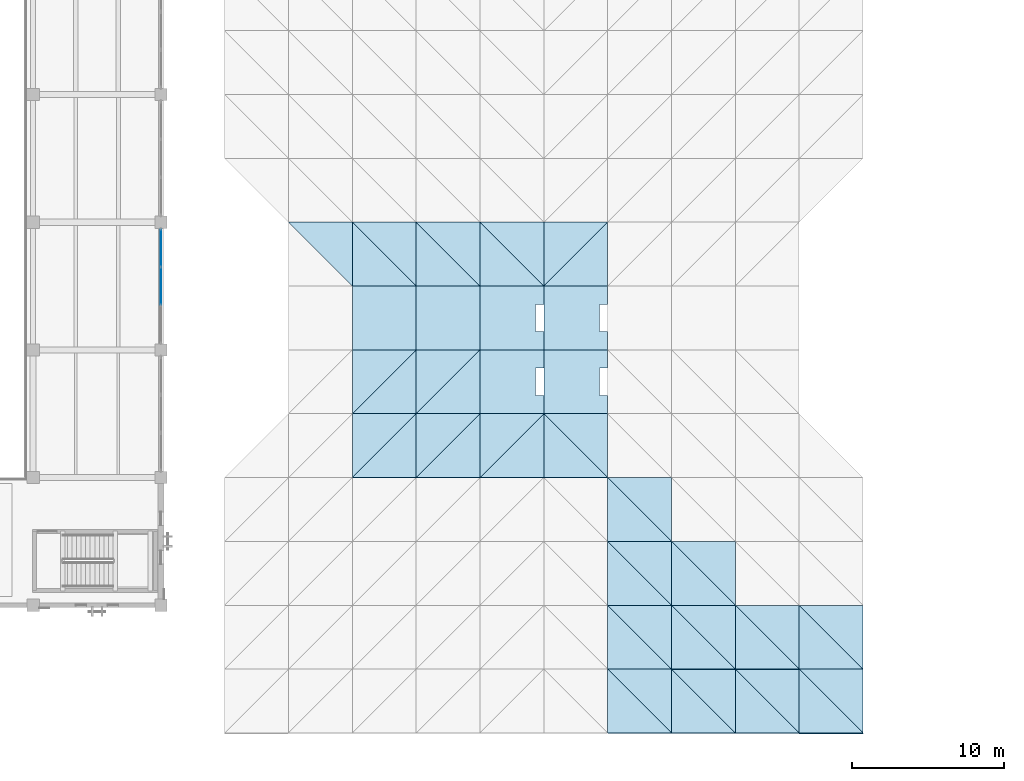
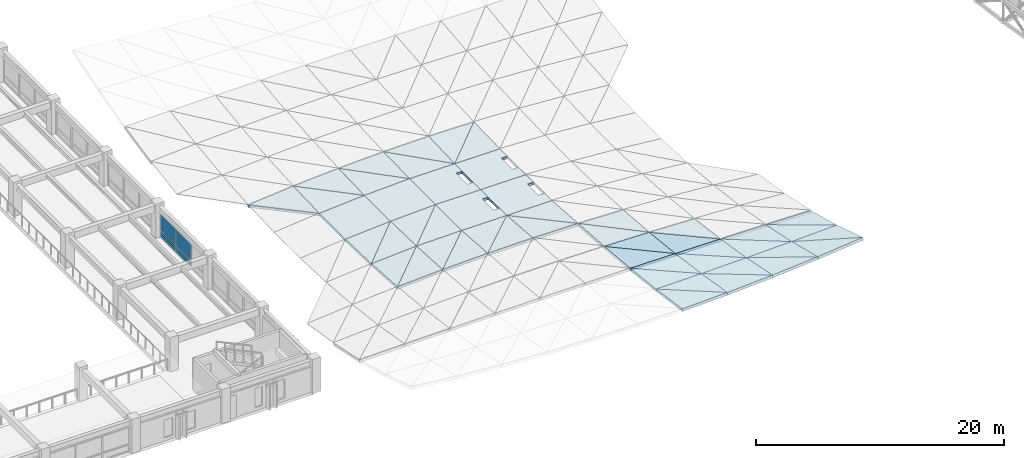
# One storey, part 63 of 123: 49 slabs, 4 plates, 1 element without a shape of its own.
"""IFC4 building model written with IfcOpenShell, lengths in metres."""

from ifc_helpers import new_model, si_unit, direction, frame, origin, origin_2d, place, context, subcontext, project, spatial, polyline, rectangle, outline, extrude, material, layer, layer_set, type_object, element, aggregate, save


model = new_model("IFC4")

# Units and contexts
model_context = context("Model", 3, precision=1e-05, world=origin(), true_north=direction((0.0, 1.0)))
body_context = subcontext(model_context, "Body", "Model", "MODEL_VIEW")
ifc_project = project(units=[si_unit("LENGTHUNIT", "METRE"), si_unit("AREAUNIT", "SQUARE_METRE"), si_unit("VOLUMEUNIT", "CUBIC_METRE"), si_unit("PLANEANGLEUNIT", "RADIAN"), si_unit("MASSUNIT", "GRAM", prefix="KILO")], contexts=[model_context])

# Site, building, storey
site_placement = place(None, origin())
site = spatial("IfcSite", under=ifc_project, at=site_placement, CompositionType="ELEMENT")
building_placement = place(site_placement, origin())
building = spatial("IfcBuilding", under=site, at=building_placement, Name="Cumbredor Promenade Congress Hotel", CompositionType="ELEMENT")
storey_placement = place(building_placement, frame((0.0, 0.0, 11.760009765625)))
storey = spatial("IfcBuildingStorey", under=building, at=storey_placement, Name="L03", CompositionType="ELEMENT", Elevation=11.760009765625)

# Curtain wall, plates
ifc_material_1 = material(Name="Thermally broken anodized aluminium and low-E glass", Category="aluminium")
curtain_wall_type = type_object("IfcCurtainWallType", Name="Unitised Bronze Curtain Wall CW-01", PredefinedType="NOTDEFINED", material=ifc_material_1)
curtain_wall_placement = place(storey_placement, origin())
curtain_wall = element("IfcCurtainWall", 1, at=curtain_wall_placement, inside=storey, type_object=curtain_wall_type, Name="L03 Plenary Congress Hall East Curtain Wall 3", PredefinedType="NOTDEFINED")
ifc_material_2 = material(Name="Laminated low-E solar-control glass", Category="glass")
ifc_layer_1 = layer(ifc_material_2, 0.028076171875, Name="Laminated low-E solar-control glass", Category="glass")
ifc_layer_set_1 = layer_set([ifc_layer_1], Name="Laminated low-E solar-control glass")
plate_type_1 = type_object("IfcPlateType", Name="Glazed Vision Panel PNL-01", PredefinedType="CURTAIN_PANEL", material=ifc_layer_set_1)
plate_1_placement = place(storey_placement, frame((67.199951171875, 29.39990234375, 0.784912109375), z_axis=(0.0, 0.0, 1.0), x_axis=(0.0, 1.0, 0.0)))
plate_1 = element("IfcPlate", 2, at=plate_1_placement, type_object=plate_type_1, Name="L03 Plenary Congress Hall East Curtain Wall 3 Glazing Panel 2.2", PredefinedType="CURTAIN_PANEL", context=body_context, shape_type="SweptSolid", body=[
    extrude(rectangle(XDim=2.431640625, YDim=0.028076171875, at=origin_2d()), origin(), (0.0, 0.0, 1.0), 1.580078125),
])
plate_2_placement = place(storey_placement, frame((67.199951171875, 31.896728515625, 0.784912109375), z_axis=(0.0, 0.0, 1.0), x_axis=(0.0, 1.0, 0.0)))
plate_2 = element("IfcPlate", 3, at=plate_2_placement, type_object=plate_type_1, Name="L03 Plenary Congress Hall East Curtain Wall 3 Glazing Panel 3.2", PredefinedType="CURTAIN_PANEL", context=body_context, shape_type="SweptSolid", body=[
    extrude(rectangle(XDim=2.431640625, YDim=0.028076171875, at=origin_2d()), origin(), (0.0, 0.0, 1.0), 1.580078125),
])
ifc_material_3 = material(Name="Thermally broken anodized aluminium", Category="aluminium")
ifc_layer_2 = layer(ifc_material_3, 0.0400390625, Name="Thermally broken anodized aluminium", Category="aluminium")
ifc_layer_set_2 = layer_set([ifc_layer_2], Name="Thermally broken anodized aluminium")
plate_type_2 = type_object("IfcPlateType", Name="Insulated Spandrel Panel PNL-05", PredefinedType="CURTAIN_PANEL", material=ifc_layer_set_2)
plate_3_placement = place(storey_placement, frame((67.199951171875, 29.39990234375, 0.125), z_axis=(0.0, 0.0, 1.0), x_axis=(0.0, 1.0, 0.0)))
plate_3 = element("IfcPlate", 4, at=plate_3_placement, type_object=plate_type_2, Name="L03 Plenary Congress Hall East Curtain Wall 3 Spandrel Panel 2.1", PredefinedType="CURTAIN_PANEL", context=body_context, shape_type="SweptSolid", body=[
    extrude(rectangle(XDim=2.431640625, YDim=0.0400390625, at=origin_2d()), origin(), (0.0, 0.0, 1.0), 0.530029296875),
])
plate_4_placement = place(storey_placement, frame((67.199951171875, 31.896728515625, 0.125), z_axis=(0.0, 0.0, 1.0), x_axis=(0.0, 1.0, 0.0)))
plate_4 = element("IfcPlate", 5, at=plate_4_placement, type_object=plate_type_2, Name="L03 Plenary Congress Hall East Curtain Wall 3 Spandrel Panel 3.1", PredefinedType="CURTAIN_PANEL", context=body_context, shape_type="SweptSolid", body=[
    extrude(rectangle(XDim=2.431640625, YDim=0.0400390625, at=origin_2d()), origin(), (0.0, 0.0, 1.0), 0.530029296875),
])
aggregate(curtain_wall, [plate_3, plate_1, plate_4, plate_2])

# Slabs
ifc_material_4 = material(Name="Concrete C40/50", Category="concrete")
ifc_layer_3 = layer(ifc_material_4, 0.2451171875, Name="Concrete C40/50", Category="concrete")
ifc_layer_set_3 = layer_set([ifc_layer_3], Name="Concrete C40/50")
slab_type = type_object("IfcSlabType", Name="Spa Catenary Roof Deck 245mm", PredefinedType="ROOF", material=ifc_layer_set_3)
slab_1_placement = place(storey_placement, frame((79.800048828125, 29.39990234375, 0.217529296875), z_axis=(-0.090031397449, -0.033383738298, 0.995379261131), x_axis=(0.0, 0.999438051436, 0.033519864896)))
element("IfcSlab", 6, at=slab_1_placement, inside=storey, type_object=slab_type, Name="Thermal Spa and Hydrotherapy Pavilion Sweeping Roof Deck Facet 2.8.2", PredefinedType="ROOF", context=body_context, shape_type="SweptSolid", body=[
    extrude(outline(polyline([(0.0, 0.0), (4.202556933335632, 3.469446951953614e-18), (4.189823312784154, 4.217077027073936), (0.0, 0.0)])), origin(), (0.0, 0.0, -1.0), 0.2451171875),
])
slab_2_placement = place(storey_placement, frame((79.800048828125, 16.800048828125, 0.6396484375), z_axis=(-0.052282348828, 0.054716781922, 0.997132202758), x_axis=(0.998628232976, 0.0, 0.052360789754)))
element("IfcSlab", 7, at=slab_2_placement, inside=storey, type_object=slab_type, Name="Thermal Spa and Hydrotherapy Pavilion Sweeping Roof Deck Facet 3.5.1", PredefinedType="ROOF", context=body_context, shape_type="SweptSolid", body=[
    extrude(outline(polyline([(0.0, 0.0), (4.2057204404884105, -1.734723475976807e-18), (4.193652914724711, 4.206252496662877), (0.0, 0.0)])), origin(), (0.0, 0.0, -1.0), 0.2451171875),
])
slab_3_placement = place(storey_placement, frame((79.800048828125, 16.800048828125, 0.6396484375), z_axis=(-0.064246438224, 0.066677384535, 0.995704033118), x_axis=(0.707105727493, 0.707105727493, -0.001726352413)))
element("IfcSlab", 8, at=slab_3_placement, inside=storey, type_object=slab_type, Name="Thermal Spa and Hydrotherapy Pavilion Sweeping Roof Deck Facet 3.5.2", PredefinedType="ROOF", context=body_context, shape_type="SweptSolid", body=[
    extrude(outline(polyline([(0.0, 0.0), (5.93963675950489, -1.0256552551712872e-16), (2.9702950654406046, 2.982622777498586), (0.0, 0.0)])), origin(), (0.0, 0.0, -1.0), 0.2451171875),
])
slab_4_placement = place(storey_placement, frame((79.800048828125, 21.0, 0.3583984375), z_axis=(-0.064365711992, 0.027311937251, 0.997552561624), x_axis=(0.997924828039, 0.0, 0.064389731973)))
element("IfcSlab", 9, at=slab_4_placement, inside=storey, type_object=slab_type, Name="Thermal Spa and Hydrotherapy Pavilion Sweeping Roof Deck Facet 3.6.1", PredefinedType="ROOF", context=body_context, shape_type="SweptSolid", body=[
    extrude(outline(polyline([(0.0, 0.0), (4.208684916807379, 0.0), (4.201280726436517, 4.2015185085990945), (0.0, 0.0)])), origin(), (0.0, 0.0, -1.0), 0.2451171875),
])
slab_5_placement = place(storey_placement, frame((79.800048828125, 21.0, 0.3583984375), z_axis=(-0.070469987369, 0.033438472625, 0.996953283474), x_axis=(0.706863003632, 0.706863003632, 0.026256202948)))
element("IfcSlab", 10, at=slab_5_placement, inside=storey, type_object=slab_type, Name="Thermal Spa and Hydrotherapy Pavilion Sweeping Roof Deck Facet 3.6.2", PredefinedType="ROOF", context=body_context, shape_type="SweptSolid", body=[
    extrude(outline(polyline([(0.0, 0.0), (5.941676322421789, 1.734723475976807e-17), (2.9650914117130407, 2.9778628042776223), (0.0, 0.0)])), origin(), (0.0, 0.0, -1.0), 0.2451171875),
])
slab_6_placement = place(storey_placement, frame((79.800048828125, 25.199951171875, 0.217529296875), z_axis=(-0.070509417793, 0.0, 0.997511113724), x_axis=(0.997511113724, 0.0, 0.070509417793)))
element("IfcSlab", 11, at=slab_6_placement, inside=storey, type_object=slab_type, Name="Thermal Spa and Hydrotherapy Pavilion Sweeping Roof Deck Facet 3.7", PredefinedType="ROOF", context=body_context, shape_type="SweptSolid", body=[
    extrude(outline(polyline([(0.0, 0.0), (4.2104304544499, 0.0), (4.2104304544499, 4.199951171875001), (0.0, 4.199951171875001), (0.0, 0.0)])), origin(), (0.0, 0.0, -1.0), 0.2451171875),
])
slab_7_placement = place(storey_placement, frame((79.800048828125, 29.39990234375, 0.217529296875), z_axis=(-0.070469991949, -0.033436531153, 0.996953348266), x_axis=(0.997511113724, 0.0, 0.070509417793)))
element("IfcSlab", 12, at=slab_7_placement, inside=storey, type_object=slab_type, Name="Thermal Spa and Hydrotherapy Pavilion Sweeping Roof Deck Facet 3.8.1", PredefinedType="ROOF", context=body_context, shape_type="SweptSolid", body=[
    extrude(outline(polyline([(0.0, 0.0), (4.2104304544499, 0.0), (0.009932601090429555, 4.20254519563597), (0.0, 0.0)])), origin(), (0.0, 0.0, -1.0), 0.2451171875),
])
slab_8_placement = place(storey_placement, frame((84.0, 29.39990234375, 0.514404296875), z_axis=(-0.064365714783, -0.027310350901, 0.997552604876), x_axis=(0.0, 0.999625450777, 0.027367099937)))
element("IfcSlab", 13, at=slab_8_placement, inside=storey, type_object=slab_type, Name="Thermal Spa and Hydrotherapy Pavilion Sweeping Roof Deck Facet 3.8.2", PredefinedType="ROOF", context=body_context, shape_type="SweptSolid", body=[
    extrude(outline(polyline([(0.0, 0.0), (4.201769081845002, -8.673617379884035e-19), (4.194352704664813, 4.208678382379849), (0.0, 0.0)])), origin(), (0.0, 0.0, -1.0), 0.2451171875),
])
slab_9_placement = place(storey_placement, frame((84.0, 16.800048828125, 0.85986328125), z_axis=(-0.031295126423, 0.071051527769, 0.99698159234), x_axis=(0.999507701685, 0.0, 0.031374420677)))
element("IfcSlab", 14, at=slab_9_placement, inside=storey, type_object=slab_type, Name="Thermal Spa and Hydrotherapy Pavilion Sweeping Roof Deck Facet 4.5.1", PredefinedType="ROOF", context=body_context, shape_type="SweptSolid", body=[
    extrude(outline(polyline([(0.0, 0.0), (4.202019819152533, 1.734723475976807e-18), (4.19262894030726, 4.210592828638161), (0.0, 0.0)])), origin(), (0.0, 0.0, -1.0), 0.2451171875),
])
slab_10_placement = place(storey_placement, frame((84.0, 16.800048828125, 0.85986328125), z_axis=(-0.014973176444, 0.054785575826, 0.998385869626), x_axis=(0.706825846099, 0.706825846099, -0.028185928642)))
element("IfcSlab", 15, at=slab_10_placement, inside=storey, type_object=slab_type, Name="Thermal Spa and Hydrotherapy Pavilion Sweeping Roof Deck Facet 4.5.2", PredefinedType="ROOF", context=body_context, shape_type="SweptSolid", body=[
    extrude(outline(polyline([(0.0, 0.0), (5.94198867380956, -3.885780586188048e-16), (2.9751300163758945, 2.973433550042765), (0.0, 0.0)])), origin(), (0.0, 0.0, -1.0), 0.2451171875),
])
slab_11_placement = place(storey_placement, frame((84.0, 21.0, 0.62939453125), z_axis=(-0.014995697844, 0.0, 0.999887558202), x_axis=(0.999887558202, 0.0, 0.014995697844)))
element("IfcSlab", 16, at=slab_11_placement, inside=storey, type_object=slab_type, Name="Thermal Spa and Hydrotherapy Pavilion Sweeping Roof Deck Facet 4.6.1", PredefinedType="ROOF", context=body_context, shape_type="SweptSolid", body=[
    extrude(outline(polyline([(0.0, 0.0), (4.200423475044988, 0.0), (4.200423475044988, 4.199951171875001), (0.0, 0.0)])), origin(), (0.0, 0.0, -1.0), 0.2451171875),
])
slab_12_placement = place(storey_placement, frame((84.0, 21.0, 0.62939453125), z_axis=(-0.042322500942, 0.027344167275, 0.99872974444), x_axis=(0.707067023655, 0.707067023655, 0.010604155793)))
element("IfcSlab", 17, at=slab_12_placement, inside=storey, type_object=slab_type, Name="Thermal Spa and Hydrotherapy Pavilion Sweeping Roof Deck Facet 4.6.2", PredefinedType="ROOF", context=body_context, shape_type="SweptSolid", body=[
    extrude(outline(polyline([(0.0, 0.0), (5.939961886733214, -5.681219383824043e-17), (2.9684276002329013, 2.973423982938078), (0.0, 0.0)])), origin(), (0.0, 0.0, -1.0), 0.2451171875),
])
slab_13_placement = place(storey_placement, frame((84.0, 25.199951171875, 0.514404296875), z_axis=(-0.042338332161, 0.0, 0.999103330807), x_axis=(0.999103330807, 0.0, 0.042338332161)))
element("IfcSlab", 18, at=slab_13_placement, inside=storey, type_object=slab_type, Name="Thermal Spa and Hydrotherapy Pavilion Sweeping Roof Deck Facet 4.7", PredefinedType="ROOF", context=body_context, shape_type="SweptSolid", body=[
    extrude(outline(polyline([(0.0, 0.0), (4.203720518559513, 0.0), (4.203720518559513, 4.199951171875), (0.0, 4.199951171875), (0.0, 0.0)])), origin(), (0.0, 0.0, -1.0), 0.2451171875),
])
slab_14_placement = place(storey_placement, frame((84.0, 29.39990234375, 0.514404296875), z_axis=(-0.042322502781, -0.027342579056, 0.998729787845), x_axis=(0.999103330807, 0.0, 0.042338332161)))
element("IfcSlab", 19, at=slab_14_placement, inside=storey, type_object=slab_type, Name="Thermal Spa and Hydrotherapy Pavilion Sweeping Roof Deck Facet 4.8.1", PredefinedType="ROOF", context=body_context, shape_type="SweptSolid", body=[
    extrude(outline(polyline([(0.0, 0.0), (4.203720518559513, 0.0), (0.004868494738191195, 4.201766261336721), (0.0, 0.0)])), origin(), (0.0, 0.0, -1.0), 0.2451171875),
])
slab_15_placement = place(storey_placement, frame((88.199951171875, 29.39990234375, 0.6923828125), z_axis=(-0.038732269521, -0.023748991651, 0.998967365179), x_axis=(0.0, 0.999717529103, 0.023766825704)))
element("IfcSlab", 20, at=slab_15_placement, inside=storey, type_object=slab_type, Name="Thermal Spa and Hydrotherapy Pavilion Sweeping Roof Deck Facet 4.8.2", PredefinedType="ROOF", context=body_context, shape_type="SweptSolid", body=[
    extrude(outline(polyline([(0.0, 0.0), (4.2013820806646045, -8.673617379884035e-19), (4.197511848061031, 4.203105080561661), (0.0, 0.0)])), origin(), (0.0, 0.0, -1.0), 0.2451171875),
])
slab_16_placement = place(storey_placement, frame((88.199951171875, 16.800048828125, 0.99169921875), z_axis=(-0.010485829333, 0.081511391556, 0.996617248712), x_axis=(0.999944654448, 0.0, 0.010520838369)))
element("IfcSlab", 21, at=slab_16_placement, inside=storey, type_object=slab_type, Name="Thermal Spa and Hydrotherapy Pavilion Sweeping Roof Deck Facet 5.5.1", PredefinedType="ROOF", context=body_context, shape_type="SweptSolid", body=[
    extrude(outline(polyline([(0.0, 0.0), (4.2001836333548175, 0.0), (4.196569663729663, 4.213973547707994), (0.0, 0.0)])), origin(), (0.0, 0.0, -1.0), 0.2451171875),
])
slab_17_placement = place(storey_placement, frame((88.199951171875, 16.800048828125, 0.99169921875), z_axis=(0.0, 0.071086346745, 0.997470165622), x_axis=(0.706210650444, 0.706210650444, -0.050329259864)))
element("IfcSlab", 22, at=slab_17_placement, inside=storey, type_object=slab_type, Name="Thermal Spa and Hydrotherapy Pavilion Sweeping Roof Deck Facet 5.5.2", PredefinedType="ROOF", context=body_context, shape_type="SweptSolid", body=[
    extrude(outline(polyline([(0.0, 0.0), (5.947164871038871, -1.9081958235744878e-17), (2.9811146221153293, 2.973572895860262), (0.0, 0.0)])), origin(), (0.0, 0.0, -1.0), 0.2451171875),
])
slab_18_placement = place(storey_placement, frame((0.0, 0.0, 0.447509765625)))
element("IfcSlab", 23, at=slab_18_placement, inside=storey, type_object=slab_type, Name="Thermal Spa and Hydrotherapy Pavilion Saddle Skylight Roof Slab 5.6", PredefinedType="ROOF", context=body_context, shape_type="SweptSolid", body=[
    extrude(outline(polyline([(88.199951171875, 21.0), (92.39990234375, 21.0), (92.39990234375, 22.199951171875), (91.85009765625, 22.199951171875), (91.85009765625, 24.0), (92.39990234375, 24.0), (92.39990234375, 25.199951171875), (88.199951171875, 25.199951171875), (88.199951171875, 21.0)])), origin(), (0.0, 0.0, 1.0), 0.244873046875),
])
slab_19_placement = place(storey_placement, frame((0.0, 0.0, 0.447509765625)))
element("IfcSlab", 24, at=slab_19_placement, inside=storey, type_object=slab_type, Name="Thermal Spa and Hydrotherapy Pavilion Saddle Skylight Roof Slab 5.7", PredefinedType="ROOF", context=body_context, shape_type="SweptSolid", body=[
    extrude(outline(polyline([(88.199951171875, 25.199951171875), (92.39990234375, 25.199951171875), (92.39990234375, 26.39990234375), (91.85009765625, 26.39990234375), (91.85009765625, 28.199951171875), (92.39990234375, 28.199951171875), (92.39990234375, 29.39990234375), (88.199951171875, 29.39990234375), (88.199951171875, 25.199951171875)])), origin(), (0.0, 0.0, 1.0), 0.244873046875),
])
slab_20_placement = place(storey_placement, frame((88.199951171875, 29.39990234375, 0.6923828125), z_axis=(0.0, -0.023766825704, 0.999717529103), x_axis=(1.0, 0.0, 0.0)))
element("IfcSlab", 25, at=slab_20_placement, inside=storey, type_object=slab_type, Name="Thermal Spa and Hydrotherapy Pavilion Sweeping Roof Deck Facet 5.8.1", PredefinedType="ROOF", context=body_context, shape_type="SweptSolid", body=[
    extrude(outline(polyline([(0.0, 0.0), (4.199951171875, 0.0), (0.0, 4.2013820806646045), (0.0, 0.0)])), origin(), (0.0, 0.0, -1.0), 0.2451171875),
])
slab_21_placement = place(storey_placement, frame((92.39990234375, 29.39990234375, 0.6923828125), z_axis=(-0.012894982463, -0.036649824226, 0.99924496987), x_axis=(0.0, 0.999328057745, 0.036652871683)))
element("IfcSlab", 26, at=slab_21_placement, inside=storey, type_object=slab_type, Name="Thermal Spa and Hydrotherapy Pavilion Sweeping Roof Deck Facet 5.8.2", PredefinedType="ROOF", context=body_context, shape_type="SweptSolid", body=[
    extrude(outline(polyline([(0.0, 0.0), (4.203019498897833, 4.336808689942018e-19), (4.20103294188766, 4.200300400571196), (0.0, 0.0)])), origin(), (0.0, 0.0, -1.0), 0.2451171875),
])
slab_22_placement = place(storey_placement, frame((92.39990234375, 16.800048828125, 1.035888671875), z_axis=(0.010485219901, 0.081511392077, 0.996617255081), x_axis=(0.999944660882, 0.0, -0.010520226902)))
element("IfcSlab", 27, at=slab_22_placement, inside=storey, type_object=slab_type, Name="Thermal Spa and Hydrotherapy Pavilion Sweeping Roof Deck Facet 6.5.1", PredefinedType="ROOF", context=body_context, shape_type="SweptSolid", body=[
    extrude(outline(polyline([(0.0, 0.0), (4.200427760468505, 0.0), (0.0036137595827433876, 4.213973547888124), (0.0, 0.0)])), origin(), (0.0, 0.0, -1.0), 0.2451171875),
])
slab_23_placement = place(storey_placement, frame((96.60009765625, 16.800048828125, 0.99169921875), z_axis=(0.0, 0.071086346745, 0.997470165622), x_axis=(0.0, 0.997470165622, -0.071086346745)))
element("IfcSlab", 28, at=slab_23_placement, inside=storey, type_object=slab_type, Name="Thermal Spa and Hydrotherapy Pavilion Sweeping Roof Deck Facet 6.5.2", PredefinedType="ROOF", context=body_context, shape_type="SweptSolid", body=[
    extrude(outline(polyline([(0.0, 0.0), (4.210603300856612, 0.0), (4.210603300856612, 4.200195312499999), (0.0, 0.0)])), origin(), (0.0, 0.0, -1.0), 0.2451171875),
])
slab_24_placement = place(storey_placement, frame((0.0, 0.0, 0.447509765625)))
element("IfcSlab", 29, at=slab_24_placement, inside=storey, type_object=slab_type, Name="Thermal Spa and Hydrotherapy Pavilion Saddle Skylight Roof Slab 6.6", PredefinedType="ROOF", context=body_context, shape_type="SweptSolid", body=[
    extrude(outline(polyline([(92.39990234375, 21.0), (96.60009765625, 21.0), (96.60009765625, 22.199951171875), (96.050048828125, 22.199951171875), (96.050048828125, 24.0), (96.60009765625, 24.0), (96.60009765625, 25.199951171875), (92.39990234375, 25.199951171875), (92.39990234375, 21.0)])), origin(), (0.0, 0.0, 1.0), 0.244873046875),
])
slab_25_placement = place(storey_placement, frame((0.0, 0.0, 0.447509765625)))
element("IfcSlab", 30, at=slab_25_placement, inside=storey, type_object=slab_type, Name="Thermal Spa and Hydrotherapy Pavilion Saddle Skylight Roof Slab 6.7", PredefinedType="ROOF", context=body_context, shape_type="SweptSolid", body=[
    extrude(outline(polyline([(92.39990234375, 25.199951171875), (96.60009765625, 25.199951171875), (96.60009765625, 26.39990234375), (96.050048828125, 26.39990234375), (96.050048828125, 28.199951171875), (96.60009765625, 28.199951171875), (96.60009765625, 29.39990234375), (92.39990234375, 29.39990234375), (92.39990234375, 25.199951171875)])), origin(), (0.0, 0.0, 1.0), 0.244873046875),
])
slab_26_placement = place(storey_placement, frame((92.39990234375, 29.39990234375, 0.6923828125), z_axis=(0.0, -0.023766825704, 0.999717529103), x_axis=(1.0, 0.0, 0.0)))
element("IfcSlab", 31, at=slab_26_placement, inside=storey, type_object=slab_type, Name="Thermal Spa and Hydrotherapy Pavilion Sweeping Roof Deck Facet 6.8.1", PredefinedType="ROOF", context=body_context, shape_type="SweptSolid", body=[
    extrude(outline(polyline([(0.0, 0.0), (4.2001953125, 0.0), (4.2001953125, 4.201382080664605), (0.0, 0.0)])), origin(), (0.0, 0.0, -1.0), 0.2451171875),
])
slab_27_placement = place(storey_placement, frame((92.39990234375, 29.39990234375, 0.6923828125), z_axis=(0.012894233054, -0.03664982458, 0.999244979528), x_axis=(0.707006891483, 0.707006891483, 0.016808057348)))
element("IfcSlab", 32, at=slab_27_placement, inside=storey, type_object=slab_type, Name="Thermal Spa and Hydrotherapy Pavilion Sweeping Roof Deck Facet 6.8.2", PredefinedType="ROOF", context=body_context, shape_type="SweptSolid", body=[
    extrude(outline(polyline([(0.0, 0.0), (5.940812406639063, -6.938893903907228e-17), (2.9721563587050195, 2.9718108095107105), (0.0, 0.0)])), origin(), (0.0, 0.0, -1.0), 0.2451171875),
])
slab_28_placement = place(storey_placement, frame((96.60009765625, 0.0, 2.7880859375), z_axis=(-0.033875908374, 0.141082518236, 0.989418084472), x_axis=(0.999414387158, 0.0, 0.034218163927)))
element("IfcSlab", 33, at=slab_28_placement, inside=storey, type_object=slab_type, Name="Thermal Spa and Hydrotherapy Pavilion Sweeping Roof Deck Facet 7.1.1", PredefinedType="ROOF", context=body_context, shape_type="SweptSolid", body=[
    extrude(outline(polyline([(0.0, 0.0), (4.202412158404303, 0.0), (-0.020492469754119818, 4.242384177535298), (0.0, 0.0)])), origin(), (0.0, 0.0, -1.0), 0.2451171875),
])
slab_29_placement = place(storey_placement, frame((100.800048828125, 0.0, 2.931884765625), z_axis=(-0.012216552211, 0.162256461051, 0.986672993802), x_axis=(0.0, 0.98674662963, -0.16226857032)))
element("IfcSlab", 34, at=slab_29_placement, inside=storey, type_object=slab_type, Name="Thermal Spa and Hydrotherapy Pavilion Sweeping Roof Deck Facet 7.1.2", PredefinedType="ROOF", context=body_context, shape_type="SweptSolid", body=[
    extrude(outline(polyline([(0.0, 0.0), (4.256362318105806, -1.734723475976807e-18), (4.264800600693272, 4.200264616027182), (0.0, 0.0)])), origin(), (0.0, 0.0, -1.0), 0.2451171875),
])
slab_30_placement = place(storey_placement, frame((96.60009765625, 4.199951171875, 2.189208984375), z_axis=(-0.012294149294, 0.117977658011, 0.992940142256), x_axis=(0.999923357281, 0.0, 0.012380612399)))
element("IfcSlab", 35, at=slab_30_placement, inside=storey, type_object=slab_type, Name="Thermal Spa and Hydrotherapy Pavilion Sweeping Roof Deck Facet 7.2.1", PredefinedType="ROOF", context=body_context, shape_type="SweptSolid", body=[
    extrude(outline(polyline([(0.0, 0.0), (4.200273092224242, 0.0), (-0.006178215757730533, 4.229488865922046), (0.0, 0.0)])), origin(), (0.0, 0.0, -1.0), 0.2451171875),
])
slab_31_placement = place(storey_placement, frame((100.800048828125, 4.199951171875, 2.2412109375), z_axis=(0.005816583131, 0.135797059638, 0.990719600066), x_axis=(0.0, 0.99073635982, -0.135799356883)))
element("IfcSlab", 36, at=slab_31_placement, inside=storey, type_object=slab_type, Name="Thermal Spa and Hydrotherapy Pavilion Sweeping Roof Deck Facet 7.2.2", PredefinedType="ROOF", context=body_context, shape_type="SweptSolid", body=[
    extrude(outline(polyline([(0.0, 0.0), (4.239221797246176, 0.0), (4.235873229119914, 4.200022221394436), (0.0, 0.0)])), origin(), (0.0, 0.0, -1.0), 0.2451171875),
])
slab_32_placement = place(storey_placement, frame((96.60009765625, 8.39990234375, 1.690185546875), z_axis=(0.005844666112, 0.094550785274, 0.995502882408), x_axis=(0.99998276572, 0.0, -0.005870967816)))
element("IfcSlab", 37, at=slab_32_placement, inside=storey, type_object=slab_type, Name="Thermal Spa and Hydrotherapy Pavilion Sweeping Roof Deck Facet 7.3.1", PredefinedType="ROOF", context=body_context, shape_type="SweptSolid", body=[
    extrude(outline(polyline([(0.0, 0.0), (4.20002355625722, 0.0), (0.0023420804226697506, 4.219096699146892), (0.0, 0.0)])), origin(), (0.0, 0.0, -1.0), 0.2451171875),
])
slab_33_placement = place(storey_placement, frame((100.800048828125, 8.39990234375, 1.66552734375), z_axis=(0.020393234648, 0.108950155595, 0.993838004695), x_axis=(0.0, 0.99404472985, -0.108972817978)))
element("IfcSlab", 38, at=slab_33_placement, inside=storey, type_object=slab_type, Name="Thermal Spa and Hydrotherapy Pavilion Sweeping Roof Deck Facet 7.3.2", PredefinedType="ROOF", context=body_context, shape_type="SweptSolid", body=[
    extrude(outline(polyline([(0.0, 0.0), (4.225358463632933, 0.0), (4.215967007396045, 4.200824790664894), (0.0, 0.0)])), origin(), (0.0, 0.0, -1.0), 0.2451171875),
])
slab_34_placement = place(storey_placement, frame((96.60009765625, 12.60009765625, 1.291259765625), z_axis=(0.020463395145, 0.071129138365, 0.997257186053), x_axis=(0.999789537892, 0.0, -0.020515358186)))
element("IfcSlab", 39, at=slab_34_placement, inside=storey, type_object=slab_type, Name="Thermal Spa and Hydrotherapy Pavilion Sweeping Roof Deck Facet 7.4.1", PredefinedType="ROOF", context=body_context, shape_type="SweptSolid", body=[
    extrude(outline(polyline([(0.0, 0.0), (4.200835288524772, 0.0), (0.006145591917572152, 4.210616178076342), (0.0, 0.0)])), origin(), (0.0, 0.0, -1.0), 0.2451171875),
])
slab_35_placement = place(storey_placement, frame((100.800048828125, 12.60009765625, 1.205078125), z_axis=(0.031269074977, 0.081878651885, 0.996151660801), x_axis=(0.0, 0.996639014372, -0.081918709895)))
element("IfcSlab", 40, at=slab_35_placement, inside=storey, type_object=slab_type, Name="Thermal Spa and Hydrotherapy Pavilion Sweeping Roof Deck Facet 7.4.2", PredefinedType="ROOF", context=body_context, shape_type="SweptSolid", body=[
    extrude(outline(polyline([(0.0, 0.0), (4.214114750986205, 0.0), (4.203314921068416, 4.202005940527029), (0.0, 0.0)])), origin(), (0.0, 0.0, -1.0), 0.2451171875),
])
slab_36_placement = place(storey_placement, frame((100.800048828125, 0.0, 2.931884765625), z_axis=(-0.056294469809, 0.162011246277, 0.985181855674), x_axis=(0.998371428865, 0.0, 0.0570481378)))
element("IfcSlab", 41, at=slab_36_placement, inside=storey, type_object=slab_type, Name="Thermal Spa and Hydrotherapy Pavilion Sweeping Roof Deck Facet 8.1.1", PredefinedType="ROOF", context=body_context, shape_type="SweptSolid", body=[
    extrude(outline(polyline([(0.0, 0.0), (4.206802248588535, 6.938893903907228e-18), (-0.03940165572175666, 4.2561799412756764), (0.0, 0.0)])), origin(), (0.0, 0.0, -1.0), 0.2451171875),
])
slab_37_placement = place(storey_placement, frame((105.0, 0.0, 3.171875), z_axis=(-0.020227342875, 0.196974434701, 0.980199942193), x_axis=(0.0, 0.980400525894, -0.197014742662)))
element("IfcSlab", 42, at=slab_37_placement, inside=storey, type_object=slab_type, Name="Thermal Spa and Hydrotherapy Pavilion Sweeping Roof Deck Facet 8.1.2", PredefinedType="ROOF", context=body_context, shape_type="SweptSolid", body=[
    extrude(outline(polyline([(0.0, 0.0), (4.283913626060115, -3.469446951953614e-18), (4.300988878414865, 4.200810630967435), (0.0, 0.0)])), origin(), (0.0, 0.0, -1.0), 0.2451171875),
])
slab_38_placement = place(storey_placement, frame((100.800048828125, 4.199951171875, 2.2412109375), z_axis=(-0.020440500208, 0.135770984479, 0.990529366412), x_axis=(0.99978714706, 0.0, 0.020631543173)))
element("IfcSlab", 43, at=slab_38_placement, inside=storey, type_object=slab_type, Name="Thermal Spa and Hydrotherapy Pavilion Sweeping Roof Deck Facet 8.2.1", PredefinedType="ROOF", context=body_context, shape_type="SweptSolid", body=[
    extrude(outline(polyline([(0.0, 0.0), (4.20084533415502, 1.734723475976807e-18), (-0.011877240918479985, 4.239205158681903), (0.0, 0.0)])), origin(), (0.0, 0.0, -1.0), 0.2451171875),
])
slab_39_placement = place(storey_placement, frame((105.0, 4.199951171875, 2.327880859375), z_axis=(0.009631159538, 0.165162920406, 0.986219270999), x_axis=(0.0, 0.986265014653, -0.165170581132)))
element("IfcSlab", 44, at=slab_39_placement, inside=storey, type_object=slab_type, Name="Thermal Spa and Hydrotherapy Pavilion Sweeping Roof Deck Facet 8.2.2", PredefinedType="ROOF", context=body_context, shape_type="SweptSolid", body=[
    extrude(outline(polyline([(0.0, 0.0), (4.258440793778603, 0.0), (4.251666219161857, 4.200145977554481), (0.0, 0.0)])), origin(), (0.0, 0.0, -1.0), 0.2451171875),
])
slab_40_placement = place(storey_placement, frame((100.800048828125, 8.39990234375, 1.66552734375), z_axis=(0.009707123548, 0.108967683698, 0.9939978952), x_axis=(0.999952318586, 0.0, -0.00976527289)))
element("IfcSlab", 45, at=slab_40_placement, inside=storey, type_object=slab_type, Name="Thermal Spa and Hydrotherapy Pavilion Sweeping Roof Deck Facet 8.3.1", PredefinedType="ROOF", context=body_context, shape_type="SweptSolid", body=[
    extrude(outline(polyline([(0.0, 0.0), (4.200151441034993, 8.673617379884035e-19), (0.004496412272967761, 4.225356071205258), (0.0, 0.0)])), origin(), (0.0, 0.0, -1.0), 0.2451171875),
])
slab_41_placement = place(storey_placement, frame((105.0, 8.39990234375, 1.62451171875), z_axis=(0.033800435751, 0.132718016709, 0.990577335993), x_axis=(0.0, 0.991143673483, -0.132793894872)))
element("IfcSlab", 46, at=slab_41_placement, inside=storey, type_object=slab_type, Name="Thermal Spa and Hydrotherapy Pavilion Sweeping Roof Deck Facet 8.3.2", PredefinedType="ROOF", context=body_context, shape_type="SweptSolid", body=[
    extrude(outline(polyline([(0.0, 0.0), (4.237725997625938, -6.938893903907228e-18), (4.218695231930172, 4.2023523875249715), (0.0, 0.0)])), origin(), (0.0, 0.0, -1.0), 0.2451171875),
])
slab_42_placement = place(storey_placement, frame((105.0, 0.0, 3.171875), z_axis=(-0.078234824353, 0.196410884377, 0.977395557979), x_axis=(0.99681177698, 0.0, 0.079788979649)))
element("IfcSlab", 47, at=slab_42_placement, inside=storey, type_object=slab_type, Name="Thermal Spa and Hydrotherapy Pavilion Sweeping Roof Deck Facet 9.1.1", PredefinedType="ROOF", context=body_context, shape_type="SweptSolid", body=[
    extrude(outline(polyline([(0.0, 0.0), (4.213384380949298, 0.0), (-0.06734143131020778, 4.283384302998345), (0.0, 0.0)])), origin(), (0.0, 0.0, -1.0), 0.2451171875),
])
slab_43_placement = place(storey_placement, frame((109.199951171875, 0.0, 3.508056640625), z_axis=(-0.028002787108, 0.244362349468, 0.969279570649), x_axis=(0.0, 0.969659827536, -0.244458214964)))
element("IfcSlab", 48, at=slab_43_placement, inside=storey, type_object=slab_type, Name="Thermal Spa and Hydrotherapy Pavilion Sweeping Roof Deck Facet 9.1.2", PredefinedType="ROOF", context=body_context, shape_type="SweptSolid", body=[
    extrude(outline(polyline([(0.0, 0.0), (4.331365549657219, 0.0), (4.361027593806882, 4.201598849601466), (0.0, 0.0)])), origin(), (0.0, 0.0, -1.0), 0.2451171875),
])
slab_44_placement = place(storey_placement, frame((105.0, 4.199951171875, 2.327880859375), z_axis=(-0.028481942239, 0.165103572615, 0.985864894028), x_axis=(0.999582936058, 0.0, 0.028878260723)))
element("IfcSlab", 49, at=slab_44_placement, inside=storey, type_object=slab_type, Name="Thermal Spa and Hydrotherapy Pavilion Sweeping Roof Deck Facet 9.2.1", PredefinedType="ROOF", context=body_context, shape_type="SweptSolid", body=[
    extrude(outline(polyline([(0.0, 0.0), (4.20170355092259, 3.469446951953614e-18), (-0.020312077427598805, 4.258392350832449), (0.0, 0.0)])), origin(), (0.0, 0.0, -1.0), 0.2451171875),
])
slab_45_placement = place(storey_placement, frame((109.199951171875, 4.199951171875, 2.44921875), z_axis=(0.013424269813, 0.205573352129, 0.978549633833), x_axis=(0.0, 0.978637818466, -0.205591877925)))
element("IfcSlab", 50, at=slab_45_placement, inside=storey, type_object=slab_type, Name="Thermal Spa and Hydrotherapy Pavilion Sweeping Roof Deck Facet 9.2.2", PredefinedType="ROOF", context=body_context, shape_type="SweptSolid", body=[
    extrude(outline(polyline([(0.0, 0.0), (4.291629745577662, -1.734723475976807e-18), (4.2797841197988085, 4.200329661774123), (0.0, 0.0)])), origin(), (0.0, 0.0, -1.0), 0.2451171875),
])
slab_46_placement = place(storey_placement, frame((109.199951171875, 0.0, 3.508056640625), z_axis=(-0.099218982632, 0.243251965898, 0.964875160097), x_axis=(0.99475446684, 0.0, 0.102291498683)))
element("IfcSlab", 51, at=slab_46_placement, inside=storey, type_object=slab_type, Name="Thermal Spa and Hydrotherapy Pavilion Sweeping Roof Deck Facet 10.1.1", PredefinedType="ROOF", context=body_context, shape_type="SweptSolid", body=[
    extrude(outline(polyline([(0.0, 0.0), (4.222098328664687, -1.3877787807814457e-17), (-0.10831011469410172, 4.330011136684562), (0.0, 0.0)])), origin(), (0.0, 0.0, -1.0), 0.2451171875),
])
slab_47_placement = place(storey_placement, frame((113.39990234375, 0.0, 3.93994140625), z_axis=(-0.035322049903, 0.302728791331, 0.952421981944), x_axis=(0.0, 0.953016681797, -0.302917817594)))
element("IfcSlab", 52, at=slab_47_placement, inside=storey, type_object=slab_type, Name="Thermal Spa and Hydrotherapy Pavilion Sweeping Roof Deck Facet 10.1.2", PredefinedType="ROOF", context=body_context, shape_type="SweptSolid", body=[
    extrude(outline(polyline([(0.0, 0.0), (4.407006983292069, -1.3877787807814457e-17), (4.454189983200497, 4.202573654759876), (0.0, 0.0)])), origin(), (0.0, 0.0, -1.0), 0.2451171875),
])
slab_48_placement = place(storey_placement, frame((109.199951171875, 4.199951171875, 2.44921875), z_axis=(-0.03627042373, 0.205456600876, 0.977993886238), x_axis=(0.999313002329, 0.0, 0.037061076294)))
element("IfcSlab", 53, at=slab_48_placement, inside=storey, type_object=slab_type, Name="Thermal Spa and Hydrotherapy Pavilion Sweeping Roof Deck Facet 10.2.1", PredefinedType="ROOF", context=body_context, shape_type="SweptSolid", body=[
    extrude(outline(polyline([(0.0, 0.0), (4.202838512144161, 6.938893903907228e-18), (-0.0326998851871511, 4.291505166096824), (0.0, 0.0)])), origin(), (0.0, 0.0, -1.0), 0.2451171875),
])
slab_49_placement = place(storey_placement, frame((113.39990234375, 4.199951171875, 2.60498046875), z_axis=(0.017079924992, 0.255974139018, 0.966532729045), x_axis=(0.0, 0.966673740217, -0.256011484068)))
element("IfcSlab", 54, at=slab_49_placement, inside=storey, type_object=slab_type, Name="Thermal Spa and Hydrotherapy Pavilion Sweeping Roof Deck Facet 10.2.2", PredefinedType="ROOF", context=body_context, shape_type="SweptSolid", body=[
    extrude(outline(polyline([(0.0, 0.0), (4.34474528182823, 0.0), (4.325744429495028, 4.200563918879983), (0.0, 0.0)])), origin(), (0.0, 0.0, -1.0), 0.2451171875),
])

save(model, "model.ifc")
